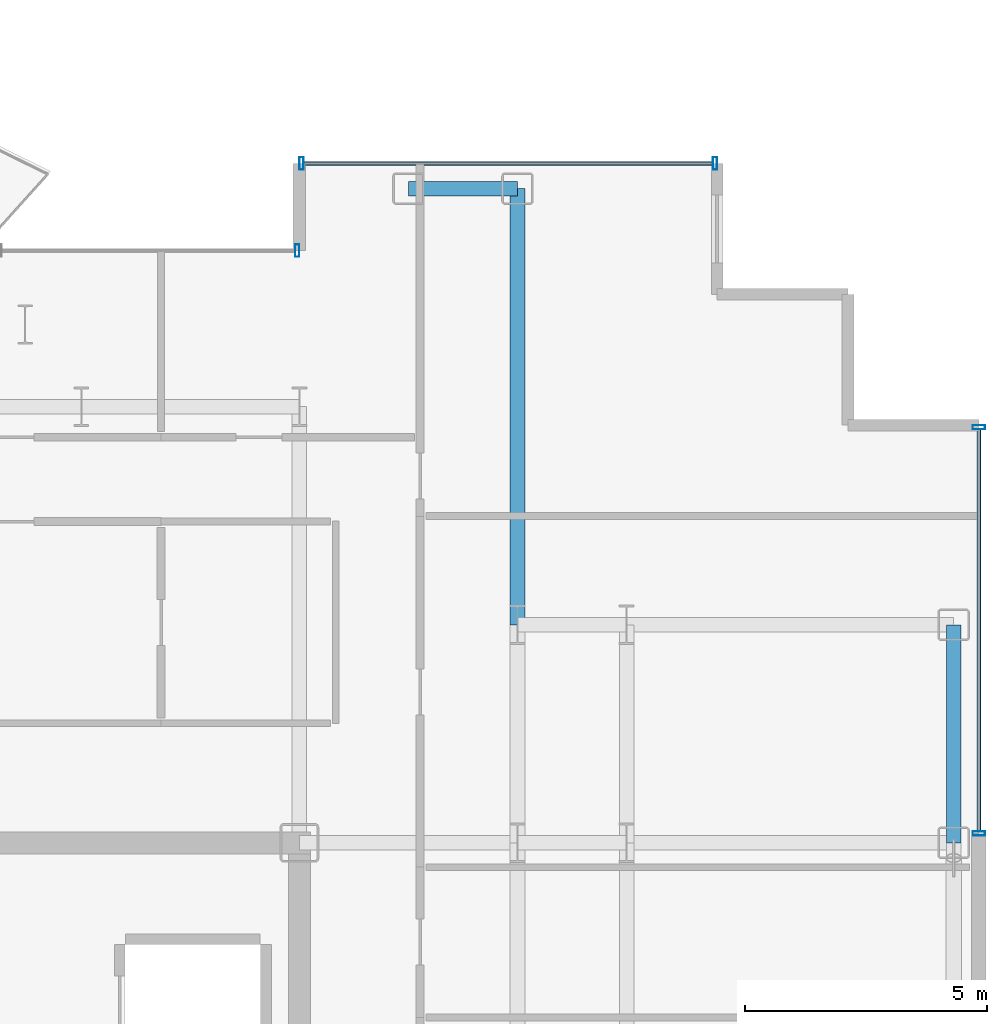
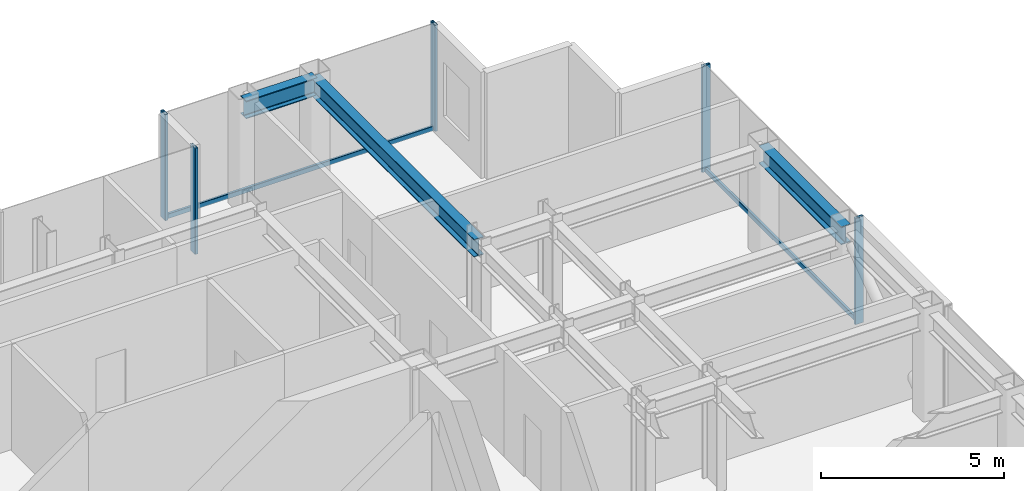
# One storey, part 13 of 22: 7 members, 3 beams, 3 elements without a shape of their own.
"""IFC4 building model written with IfcOpenShell, lengths in metres."""

from ifc_helpers import new_model, si_unit, direction, frame, origin, origin_2d, place, context, subcontext, project, spatial, hollow_rectangle, i_section, extrude, source, transform, mapped, material, layer, layer_set, material_profile, profile_set, type_object, element, aggregate, save


model = new_model("IFC4")

# Units and contexts
model_context = context("Model", 3, precision=1e-05, world=origin(), true_north=direction((0.0, 1.0)))
body_context = subcontext(model_context, "Body", "Model", "MODEL_VIEW")
ifc_project = project(units=[si_unit("LENGTHUNIT", "METRE"), si_unit("AREAUNIT", "SQUARE_METRE"), si_unit("VOLUMEUNIT", "CUBIC_METRE"), si_unit("PLANEANGLEUNIT", "RADIAN"), si_unit("MASSUNIT", "GRAM", prefix="KILO")], contexts=[model_context])

# Site, building, storey
site_placement = place(None, origin())
site = spatial("IfcSite", under=ifc_project, at=site_placement, CompositionType="ELEMENT")
building_placement = place(site_placement, origin())
building = spatial("IfcBuilding", under=site, at=building_placement, Name="Nefas-Gora Pilgrimage Tower", CompositionType="ELEMENT")
storey_placement = place(building_placement, frame((0.0, 0.0, 240.800048828125)))
storey = spatial("IfcBuildingStorey", under=building, at=storey_placement, Name="L60", CompositionType="ELEMENT", Elevation=240.800048828125)

# Beams
ifc_material_1 = material(Name="Steel S355", Category="steel")
ifc_material_profile_1 = material_profile(ifc_material_1, i_section(OverallWidth=0.300048828125, OverallDepth=0.60009765625, WebThickness=0.015380859375, FlangeThickness=0.030029296875, FilletRadius=0.027099609375, at=origin_2d()), Name="HEB 600")
ifc_profile_set_1 = profile_set([ifc_material_profile_1], Name="Steel S355")
beam_type_1 = type_object("IfcBeamType", Name="BM-SPN-HEB450", PredefinedType="SPANDREL", material=ifc_profile_set_1)
shared_shape_1 = source(origin(), body_context, "Body", "SweptSolid", [
    extrude(i_section(OverallWidth=0.300048828125, OverallDepth=0.60009765625, WebThickness=0.015380859375, FlangeThickness=0.030029296875, FilletRadius=0.027099609375, at=origin_2d()), origin(), (0.0, 0.0, 1.0), 4.5),
])
beam_1_placement = place(storey_placement, frame((24.75, 9.0, 3.25), z_axis=(0.0, 1.0, 0.0), x_axis=(-1.0, 0.0, 0.0)))
element("IfcBeam", 1, at=beam_1_placement, inside=storey, type_object=beam_type_1, Name="L60 SP-03 beam", PredefinedType="SPANDREL", context=body_context, shape_type="MappedRepresentation", body=[
    mapped(shared_shape_1, transform((0.0, 0.0, 0.0), x_axis=(1.0, 0.0, 0.0), y_axis=(0.0, 1.0, 0.0), z_axis=(0.0, 0.0, 1.0), scale=1.0)),
])
ifc_material_profile_2 = material_profile(ifc_material_1, i_section(OverallWidth=0.300048828125, OverallDepth=0.60009765625, WebThickness=0.015380859375, FlangeThickness=0.030029296875, FilletRadius=0.027099609375, at=origin_2d()), Name="HEB 600")
ifc_profile_set_2 = profile_set([ifc_material_profile_2], Name="Steel S355")
beam_type_2 = type_object("IfcBeamType", Name="BM-GIR-HEB600", PredefinedType="BEAM", material=ifc_profile_set_2)
shared_shape_2 = source(origin(), body_context, "Body", "SweptSolid", [
    extrude(i_section(OverallWidth=0.300048828125, OverallDepth=0.60009765625, WebThickness=0.015380859375, FlangeThickness=0.030029296875, FilletRadius=0.027099609375, at=origin_2d()), origin(), (0.0, 0.0, 1.0), 9.0),
])
beam_2_placement = place(storey_placement, frame((15.75, 13.5, 3.25), z_axis=(0.0, 1.0, 0.0), x_axis=(-1.0, 0.0, 0.0)))
element("IfcBeam", 2, at=beam_2_placement, inside=storey, type_object=beam_type_2, Name="L60 G-04 beam", PredefinedType="BEAM", context=body_context, shape_type="MappedRepresentation", body=[
    mapped(shared_shape_2, transform((0.0, 0.0, 0.0), x_axis=(1.0, 0.0, 0.0), y_axis=(0.0, 1.0, 0.0), z_axis=(0.0, 0.0, 1.0), scale=1.0)),
])
shared_shape_3 = source(origin(), body_context, "Body", "SweptSolid", [
    extrude(i_section(OverallWidth=0.300048828125, OverallDepth=0.60009765625, WebThickness=0.015380859375, FlangeThickness=0.030029296875, FilletRadius=0.027099609375, at=origin_2d()), origin(), (0.0, 0.0, 1.0), 2.25),
])
beam_3_placement = place(storey_placement, frame((13.5, 22.5, 3.25), z_axis=(1.0, 0.0, 0.0), x_axis=(0.0, 1.0, 0.0)))
element("IfcBeam", 3, at=beam_3_placement, inside=storey, type_object=beam_type_1, Name="L60 SP-03 beam", PredefinedType="SPANDREL", context=body_context, shape_type="MappedRepresentation", body=[
    mapped(shared_shape_3, transform((0.0, 0.0, 0.0), x_axis=(1.0, 0.0, 0.0), y_axis=(0.0, 1.0, 0.0), z_axis=(0.0, 0.0, 1.0), scale=1.0)),
])

# Curtain wall, member
ifc_material_2 = material(Name="Dark ceramic-fritted solar-control aluminium-glass curtain wall", Category="aluminium")
ifc_layer_1 = layer(ifc_material_2, 0.219970703125)
ifc_layer_set_1 = layer_set([ifc_layer_1], Name="Dark ceramic-fritted solar-control aluminium-glass curtain wall")
curtain_wall_type_1 = type_object("IfcCurtainWallType", Name="CW-SYS-5", PredefinedType="NOTDEFINED", material=ifc_layer_set_1)
curtain_wall_1_placement = place(storey_placement, origin())
curtain_wall_1 = element("IfcCurtainWall", 4, at=curtain_wall_1_placement, inside=storey, type_object=curtain_wall_type_1, Name="L60 Unitised Curtain Wall CW5", PredefinedType="NOTDEFINED")
ifc_material_3 = material(Name="Anodised architectural aluminium", Category="aluminium")
ifc_material_profile_3 = material_profile(ifc_material_3, hollow_rectangle(XDim=0.090087890625, YDim=0.260009765625, WallThickness=0.006103515625, InnerFilletRadius=0.006103515625, OuterFilletRadius=0.011962890625, at=origin_2d()), Name="ALU MULLION 90x260")
ifc_profile_set_3 = profile_set([ifc_material_profile_3], Name="Anodised architectural aluminium")
member_type_1 = type_object("IfcMemberType", Name="CWM-MUL-5", PredefinedType="MULLION", material=ifc_profile_set_3)
shared_shape_4 = source(origin(), body_context, "Body", "SweptSolid", [
    extrude(hollow_rectangle(XDim=0.090087890625, YDim=0.260009765625, WallThickness=0.006103515625, InnerFilletRadius=0.006103515625, OuterFilletRadius=0.011962890625, at=origin_2d()), origin(), (0.0, 0.0, 1.0), 3.550048828125),
])
member_1_placement = place(storey_placement, frame((11.205078125, 21.219970703125, 0.0), z_axis=(0.0, 0.0, 1.0), x_axis=(-1.0, 0.0, 0.0)))
member_1 = element("IfcMember", 5, at=member_1_placement, type_object=member_type_1, Name="CW5 Mullion 1", PredefinedType="MULLION", context=body_context, shape_type="MappedRepresentation", body=[
    mapped(shared_shape_4, transform((0.0, 0.0, 0.0), x_axis=(1.0, 0.0, 0.0), y_axis=(0.0, 1.0, 0.0), z_axis=(0.0, 0.0, 1.0), scale=1.0)),
])
aggregate(curtain_wall_1, [member_1])

# Curtain wall, members
ifc_layer_2 = layer(ifc_material_2, 0.219970703125)
ifc_layer_set_2 = layer_set([ifc_layer_2], Name="Dark ceramic-fritted solar-control aluminium-glass curtain wall")
curtain_wall_type_2 = type_object("IfcCurtainWallType", Name="CW-SYS-3", PredefinedType="NOTDEFINED", material=ifc_layer_set_2)
curtain_wall_2_placement = place(storey_placement, origin())
curtain_wall_2 = element("IfcCurtainWall", 6, at=curtain_wall_2_placement, inside=storey, type_object=curtain_wall_type_2, Name="L60 Unitised Curtain Wall CW3", PredefinedType="NOTDEFINED")
ifc_material_profile_4 = material_profile(ifc_material_3, hollow_rectangle(XDim=0.090087890625, YDim=0.260009765625, WallThickness=0.006103515625, InnerFilletRadius=0.006103515625, OuterFilletRadius=0.011962890625, at=origin_2d()), Name="ALU MULLION 90x260")
ifc_profile_set_4 = profile_set([ifc_material_profile_4], Name="Anodised architectural aluminium")
member_type_2 = type_object("IfcMemberType", Name="CWM-MUL-3", PredefinedType="MULLION", material=ifc_profile_set_4)
shared_shape_5 = source(origin(), body_context, "Body", "SweptSolid", [
    extrude(hollow_rectangle(XDim=0.090087890625, YDim=0.260009765625, WallThickness=0.006103515625, InnerFilletRadius=0.006103515625, OuterFilletRadius=0.011962890625, at=origin_2d()), origin(), (0.0, 0.0, 1.0), 3.550048828125),
])
member_2_placement = place(storey_placement, frame((25.27001953125, 9.195068359375, 0.0), z_axis=(0.0, 0.0, 1.0), x_axis=(0.0, 1.0, 0.0)))
member_2 = element("IfcMember", 7, at=member_2_placement, type_object=member_type_2, Name="CW3 Mullion 1", PredefinedType="MULLION", context=body_context, shape_type="MappedRepresentation", body=[
    mapped(shared_shape_5, transform((0.0, 0.0, 0.0), x_axis=(1.0, 0.0, 0.0), y_axis=(0.0, 1.0, 0.0), z_axis=(0.0, 0.0, 1.0), scale=1.0)),
])
member_3_placement = place(storey_placement, frame((25.27001953125, 17.574951171875, 0.0), z_axis=(0.0, 0.0, 1.0), x_axis=(0.0, 1.0, 0.0)))
member_3 = element("IfcMember", 8, at=member_3_placement, type_object=member_type_2, Name="CW3 Mullion 2", PredefinedType="MULLION", context=body_context, shape_type="MappedRepresentation", body=[
    mapped(shared_shape_5, transform((0.0, 0.0, 0.0), x_axis=(1.0, 0.0, 0.0), y_axis=(0.0, 1.0, 0.0), z_axis=(0.0, 0.0, 1.0), scale=1.0)),
])

curtain_wall_3_placement = place(storey_placement, origin())
curtain_wall_3 = element("IfcCurtainWall", 9, at=curtain_wall_3_placement, inside=storey, type_object=curtain_wall_type_2, Name="L60 Unitised Curtain Wall CW3", PredefinedType="NOTDEFINED")
member_4_placement = place(storey_placement, frame((19.824951171875, 23.02001953125, 0.0), z_axis=(0.0, 0.0, 1.0), x_axis=(-1.0, 0.0, 0.0)))
member_4 = element("IfcMember", 10, at=member_4_placement, type_object=member_type_2, Name="CW3 Mullion 1", PredefinedType="MULLION", context=body_context, shape_type="MappedRepresentation", body=[
    mapped(shared_shape_5, transform((0.0, 0.0, 0.0), x_axis=(1.0, 0.0, 0.0), y_axis=(0.0, 1.0, 0.0), z_axis=(0.0, 0.0, 1.0), scale=1.0)),
])
member_5_placement = place(storey_placement, frame((11.294921875, 23.02001953125, 0.0), z_axis=(0.0, 0.0, 1.0), x_axis=(-1.0, 0.0, 0.0)))
member_5 = element("IfcMember", 11, at=member_5_placement, type_object=member_type_2, Name="CW3 Mullion 2", PredefinedType="MULLION", context=body_context, shape_type="MappedRepresentation", body=[
    mapped(shared_shape_5, transform((0.0, 0.0, 0.0), x_axis=(1.0, 0.0, 0.0), y_axis=(0.0, 1.0, 0.0), z_axis=(0.0, 0.0, 1.0), scale=1.0)),
])
ifc_material_profile_5 = material_profile(ifc_material_3, hollow_rectangle(XDim=0.080078125, YDim=0.159912109375, WallThickness=0.00439453125, InnerFilletRadius=0.00439453125, OuterFilletRadius=0.009033203125, at=origin_2d()), Name="ALU TRANSOM 80x160")
ifc_profile_set_5 = profile_set([ifc_material_profile_5], Name="Anodised architectural aluminium")
member_type_3 = type_object("IfcMemberType", Name="CWM-TRN-3", PredefinedType="USERDEFINED", material=ifc_profile_set_5)
shared_shape_6 = source(origin(), body_context, "Body", "SweptSolid", [
    extrude(hollow_rectangle(XDim=0.080078125, YDim=0.159912109375, WallThickness=0.00439453125, InnerFilletRadius=0.00439453125, OuterFilletRadius=0.009033203125, at=origin_2d()), origin(), (0.0, 0.0, 1.0), 8.43994140625),
])
member_6_placement = place(storey_placement, frame((19.780029296875, 23.02001953125, 0.050048828125), z_axis=(-1.0, 0.0, 0.0), x_axis=(0.0, -1.0, 0.0)))
member_6 = element("IfcMember", 12, at=member_6_placement, type_object=member_type_3, Name="CW3 Spandrel Transom", ObjectType="TRANSOM", PredefinedType="USERDEFINED", context=body_context, shape_type="MappedRepresentation", body=[
    mapped(shared_shape_6, transform((0.0, 0.0, 0.0), x_axis=(1.0, 0.0, 0.0), y_axis=(0.0, 1.0, 0.0), z_axis=(0.0, 0.0, 1.0), scale=1.0)),
])
aggregate(curtain_wall_3, [member_4, member_5, member_6])

# Member
shared_shape_7 = source(origin(), body_context, "Body", "SweptSolid", [
    extrude(hollow_rectangle(XDim=0.080078125, YDim=0.159912109375, WallThickness=0.00439453125, InnerFilletRadius=0.00439453125, OuterFilletRadius=0.009033203125, at=origin_2d()), origin(), (0.0, 0.0, 1.0), 8.2900390625),
])
member_7_placement = place(storey_placement, frame((25.27001953125, 9.239990234375, 0.050048828125), z_axis=(0.0, 1.0, 0.0), x_axis=(-1.0, 0.0, 0.0)))
member_7 = element("IfcMember", 13, at=member_7_placement, type_object=member_type_3, Name="CW3 Spandrel Transom", ObjectType="TRANSOM", PredefinedType="USERDEFINED", context=body_context, shape_type="MappedRepresentation", body=[
    mapped(shared_shape_7, transform((0.0, 0.0, 0.0), x_axis=(1.0, 0.0, 0.0), y_axis=(0.0, 1.0, 0.0), z_axis=(0.0, 0.0, 1.0), scale=1.0)),
])

aggregate(curtain_wall_2, [member_2, member_3, member_7])

save(model, "model.ifc")
